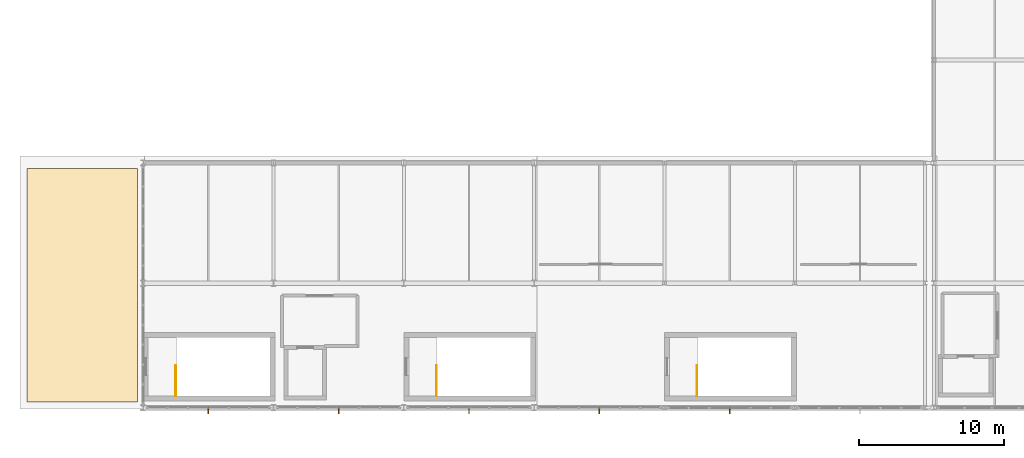
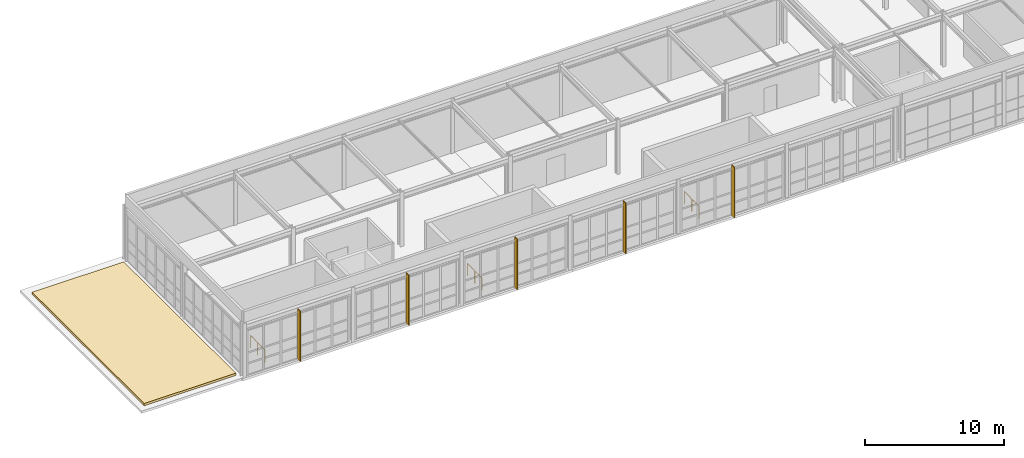
# One storey, part 36 of 38: 5 shading devices, 3 railings, 1 covering.
"""IFC4 building model written with IfcOpenShell, lengths in metres."""

from ifc_helpers import new_model, si_unit, direction, frame, origin, origin_2d, place, context, subcontext, project, spatial, polyline, rectangle, circle, outline, extrude, material, layer, layer_set, type_object, element, save


model = new_model("IFC4")

# Units and contexts
model_context = context("Model", 3, precision=1e-05, world=origin(), true_north=direction((0.0, 1.0)))
body_context = subcontext(model_context, "Body", "Model", "MODEL_VIEW")
ifc_project = project(units=[si_unit("LENGTHUNIT", "METRE"), si_unit("AREAUNIT", "SQUARE_METRE"), si_unit("VOLUMEUNIT", "CUBIC_METRE"), si_unit("PLANEANGLEUNIT", "RADIAN"), si_unit("MASSUNIT", "GRAM", prefix="KILO")], contexts=[model_context])

# Site, building, storey
site_placement = place(None, origin())
site = spatial("IfcSite", under=ifc_project, at=site_placement, CompositionType="ELEMENT")
building_placement = place(site_placement, origin())
building = spatial("IfcBuilding", under=site, at=building_placement, Name="Kaldris Quays Convention Centre", CompositionType="ELEMENT")
storey_placement = place(building_placement, frame((0.0, 0.0, 21.60009765625)))
storey = spatial("IfcBuildingStorey", under=building, at=storey_placement, Name="L04", CompositionType="ELEMENT", Elevation=21.60009765625)

# Covering
ifc_material_1 = material(Name="Planted Basler Dachsubstrat mineral green roof", Category="earth")
ifc_layer = layer(ifc_material_1, 0.199951171875)
ifc_layer_set = layer_set([ifc_layer], Name="Planted Basler Dachsubstrat mineral green roof")
covering_type = type_object("IfcCoveringType", Name="BASEL NATIVE GREEN ROOF SUBSTRATE GRF1", PredefinedType="ROOFING", material=ifc_layer_set)
covering_placement = place(storey_placement, origin())
element("IfcCovering", 1, at=covering_placement, inside=storey, type_object=covering_type, Name="L04 Basler Dachsubstrat Green Roof 2", PredefinedType="ROOFING", context=body_context, shape_type="SweptSolid", body=[
    extrude(outline(polyline([(84.0, 38.39990234375), (91.60009765625, 38.39990234375), (91.60009765625, 54.5), (84.0, 54.5), (84.0, 38.39990234375)])), origin(), (0.0, 0.0, 1.0), 0.199951171875),
])

# Railings
ifc_material_2 = material(Name="Steel S355J2", Category="steel")
railing_type = type_object("IfcRailingType", Name="INTERIOR GUARDRAIL GR01", PredefinedType="GUARDRAIL", material=ifc_material_2)
for number, where, name in (
    (2, (94.25, 38.800048828125, 0.0), "L04 ST11 Top Well Guardrail 1"),
    (3, (130.25, 38.800048828125, 0.0), "L04 ST12 Top Well Guardrail 1"),
    (4, (112.25, 38.800048828125, 0.0), "L04 ST13 Top Well Guardrail 1"),
):
    element("IfcRailing", number, at=place(storey_placement, frame(where)), inside=storey, type_object=railing_type, Name=name, PredefinedType="GUARDRAIL", context=body_context, shape_type="SweptSolid", body=[
        extrude(circle(Radius=0.02392578125, at=origin_2d()), frame((0.0, 0.0, 1.076171875), z_axis=(0.0, 1.0, 0.0), x_axis=(-1.0, 0.0, 0.0)), (0.0, 0.0, 1.0), 2.099853515625),
        extrude(circle(Radius=0.02099609375, at=origin_2d()), origin(), (0.0, 0.0, 1.0), 1.052001953125),
        extrude(circle(Radius=0.02099609375, at=origin_2d()), frame((0.0, 1.0498046875, 0.0)), (0.0, 0.0, 1.0), 1.052001953125),
        extrude(circle(Radius=0.02099609375, at=origin_2d()), frame((0.0, 2.099853515625, 0.0)), (0.0, 0.0, 1.0), 1.052001953125),
    ])

# Shading devices
ifc_material_3 = material(Name="Anodized aluminium AW-6060", Category="aluminium")
shading_device_type = type_object("IfcShadingDeviceType", Name="SOLAR SHADING FIN SH01", PredefinedType="USERDEFINED", material=ifc_material_3)
for number, where, z_axis, x_axis, name in (
    (5, (96.5, 37.800048828125, 0.0), (0.0, 0.0, 1.0), (1.0, 0.0, 0.0), "L04 Anodized Solar Fin 8"),
    (6, (105.5, 37.800048828125, 0.0), (0.0, 0.0, 1.0), (1.0, 0.0, 0.0), "L04 Anodized Solar Fin 9"),
    (7, (114.5, 37.800048828125, 0.0), (0.0, 0.0, 1.0), (1.0, 0.0, 0.0), "L04 Anodized Solar Fin 10"),
    (8, (123.5, 37.800048828125, 0.0), (0.0, 0.0, 1.0), (1.0, 0.0, 0.0), "L04 Anodized Solar Fin 11"),
    (9, (132.5, 37.800048828125, 0.0), (0.0, 0.0, 1.0), (1.0, 0.0, 0.0), "L04 Anodized Solar Fin 12"),
):
    element("IfcShadingDevice", number, at=place(storey_placement, frame(where, z_axis=z_axis, x_axis=x_axis)), inside=storey, type_object=shading_device_type, Name=name, ObjectType="SOLAR FIN", PredefinedType="USERDEFINED", context=body_context, shape_type="SweptSolid", body=[
        extrude(rectangle(XDim=0.06005859375, YDim=0.419921875, at=origin_2d()), origin(), (0.0, 0.0, 1.0), 4.39990234375),
    ])

save(model, "model.ifc")
